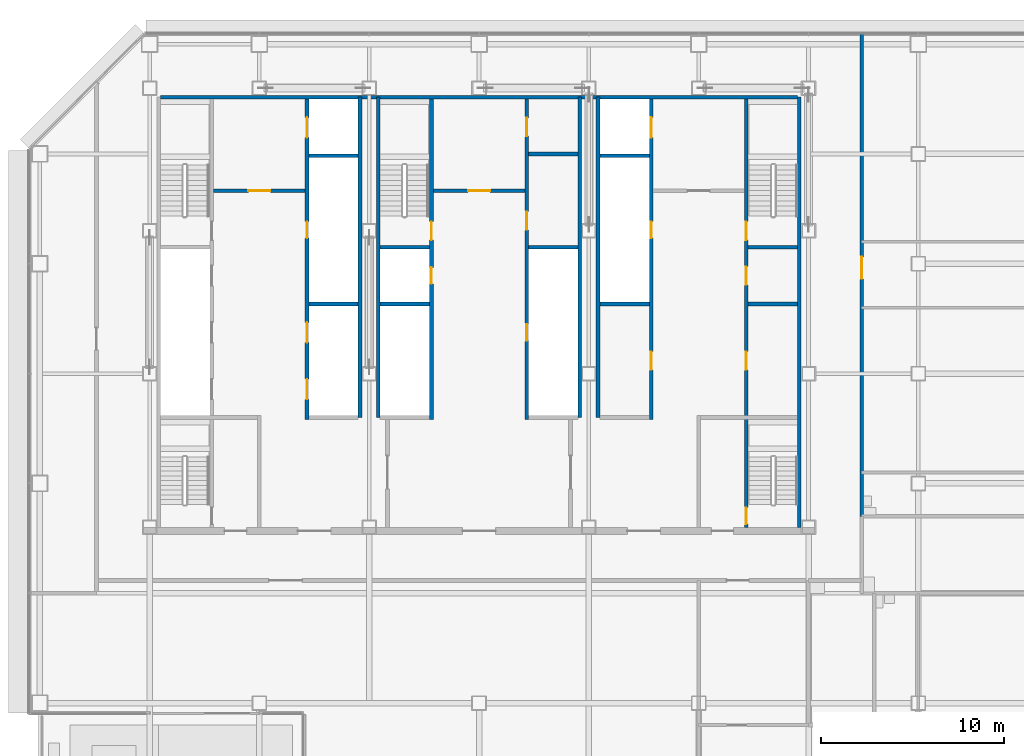
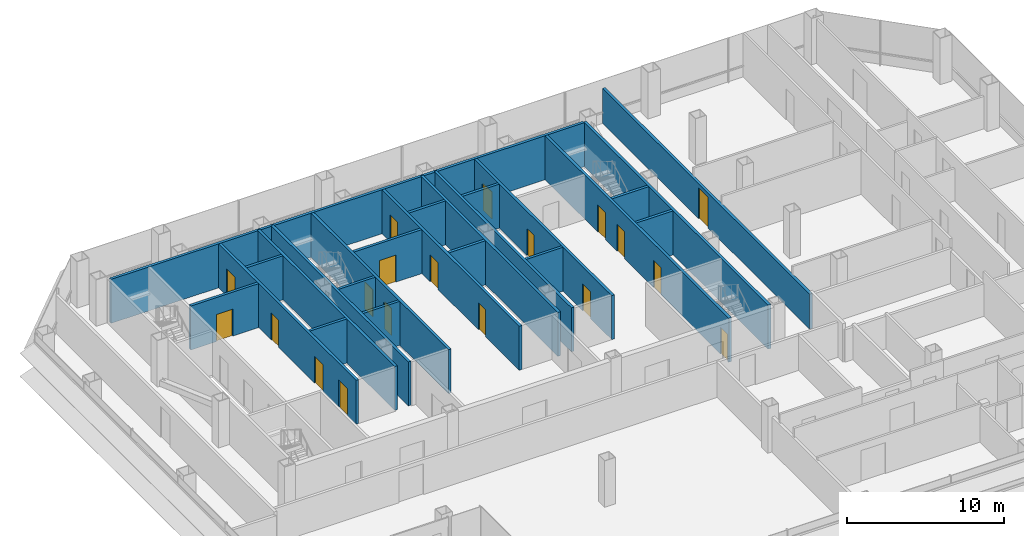
# One storey, part 22 of 28: 24 walls, 19 doors, 19 openings.
"""IFC4 building model written with IfcOpenShell, lengths in metres."""

from ifc_helpers import new_model, si_unit, direction, frame, frame_2d, origin, place, context, subcontext, project, spatial, rectangle, extrude, material, layer, layer_set, type_object, element, fill, save


model = new_model("IFC4")

# Units and contexts
model_context = context("Model", 3, precision=1e-05, world=origin(), true_north=direction((0.0, 1.0)))
body_context = subcontext(model_context, "Body", "Model", "MODEL_VIEW")
ifc_project = project(units=[si_unit("LENGTHUNIT", "METRE"), si_unit("AREAUNIT", "SQUARE_METRE"), si_unit("VOLUMEUNIT", "CUBIC_METRE"), si_unit("PLANEANGLEUNIT", "RADIAN"), si_unit("MASSUNIT", "GRAM", prefix="KILO")], contexts=[model_context])

# Site, building, storey
site_placement = place(None, origin())
site = spatial("IfcSite", under=ifc_project, at=site_placement, CompositionType="ELEMENT")
building_placement = place(site_placement, origin())
building = spatial("IfcBuilding", under=site, at=building_placement, Name="Sorahane Residences", CompositionType="ELEMENT")
storey_placement = place(building_placement, frame((0.0, 0.0, 60.60009765625)))
storey = spatial("IfcBuildingStorey", under=building, at=storey_placement, Name="L11", CompositionType="ELEMENT", Elevation=60.60009765625)

# Walls
ifc_material_1 = material(Name="Concrete C30", Category="concrete")
ifc_layer_1 = layer(ifc_material_1, 0.199951171875)
ifc_layer_set_1 = layer_set([ifc_layer_1], Name="Core face wall 200 EI 180")
wall_type_1 = type_object("IfcWallType", Name="Core face wall 200 EI 180", PredefinedType="SOLIDWALL", material=ifc_layer_set_1)
wall_1_placement = place(storey_placement, frame((41.5, 21.60009765625, 0.0), z_axis=(0.0, 0.0, 1.0), x_axis=(0.0, 1.0, 0.0)))
element("IfcWall", 1, at=wall_1_placement, inside=storey, type_object=wall_type_1, Name="L11 core face wall", PredefinedType="SOLIDWALL", context=body_context, shape_type="SweptSolid", body=[
    extrude(rectangle(XDim=23.5, YDim=0.199951171875, at=frame_2d((11.75, 0.0))), origin(), (0.0, 0.0, 1.0), 3.419921875),
])
wall_2_placement = place(storey_placement, frame((6.60009765625, 45.10009765625, 0.0), z_axis=(0.0, 0.0, 1.0), x_axis=(1.0, 0.0, 0.0)))
element("IfcWall", 2, at=wall_2_placement, inside=storey, type_object=wall_type_1, Name="L11 core face wall", PredefinedType="SOLIDWALL", context=body_context, shape_type="SweptSolid", body=[
    extrude(rectangle(XDim=34.7998046875, YDim=0.199951171875, at=frame_2d((17.39990234375, 0.0))), origin(), (0.0, 0.0, 1.0), 3.419921875),
])
for number, where, z_axis, x_axis, name in (
    (3, (17.5, 27.60009765625, 0.0), (0.0, 0.0, 1.0), (0.0, 1.0, 0.0), "L11 core face wall"),
    (4, (18.5, 27.60009765625, 0.0), (0.0, 0.0, 1.0), (0.0, 1.0, 0.0), "L11 core face wall"),
    (5, (29.5, 27.60009765625, 0.0), (0.0, 0.0, 1.0), (0.0, 1.0, 0.0), "L11 core face wall"),
    (6, (30.5, 27.60009765625, 0.0), (0.0, 0.0, 1.0), (0.0, 1.0, 0.0), "L11 core face wall"),
):
    element("IfcWall", number, at=place(storey_placement, frame(where, z_axis=z_axis, x_axis=x_axis)), inside=storey, type_object=wall_type_1, Name=name, PredefinedType="SOLIDWALL", context=body_context, shape_type="SweptSolid", body=[
        extrude(rectangle(XDim=17.5, YDim=0.199951171875, at=frame_2d((8.75, 0.0))), origin(), (0.0, 0.0, 1.0), 3.419921875),
    ])

# Wall, opening, door
ifc_material_2 = material(Name="Concrete blockwork C20 wall", Category="masonry")
ifc_layer_2 = layer(ifc_material_2, 0.199951171875)
ifc_layer_set_2 = layer_set([ifc_layer_2], Name="Corridor wall 200 EI 120")
wall_type_2 = type_object("IfcWallType", Name="Corridor wall 200 EI 120", PredefinedType="SOLIDWALL", material=ifc_layer_set_2)
wall_3_placement = place(storey_placement, frame((44.89990234375, 22.199951171875, 0.0), z_axis=(0.0, 0.0, 1.0), x_axis=(0.0, 1.0, 0.0)))
wall_3 = element("IfcWall", 7, at=wall_3_placement, inside=storey, type_object=wall_type_2, Name="L11 corridor wall", PredefinedType="SOLIDWALL", context=body_context, shape_type="SweptSolid", body=[
    extrude(rectangle(XDim=26.400146484375, YDim=0.199951171875, at=frame_2d((13.2001953125, 0.0))), origin(), (0.0, 0.0, 1.0), 2.719970703125),
])
opening_1_placement = place(wall_3_placement, frame((12.97998046875, 0.0, 0.0)))
opening_1 = element("IfcOpeningElement", 8, at=opening_1_placement, cuts=wall_3, Name="Opening L11-26", PredefinedType="OPENING", context=body_context, shape_type="SweptSolid", body=[
    extrude(rectangle(XDim=1.199951171875, YDim=2.39990234375, at=frame_2d((0.60009765625, 1.199951171875))), frame((0.0, 0.10986328125, 0.0), z_axis=(0.0, -1.0, 0.0), x_axis=(1.0, 0.0, 0.0)), (0.0, 0.0, 1.0), 0.219970703125),
])
ifc_material_3 = material(Name="Timber veneered fire door", Category="wood")
door_type_1 = type_object("IfcDoorType", Name="Flat entrance door 1200x2400 FD60", OperationType="NOTDEFINED", PredefinedType="DOOR", material=ifc_material_3)
door_1_placement = place(opening_1_placement, frame((1.199951171875, 0.0, 0.0), z_axis=(0.0, 0.0, 1.0), x_axis=(-1.0, 0.0, 0.0)))
door_1 = element("IfcDoor", 9, at=door_1_placement, inside=storey, type_object=door_type_1, Name="Flat entrance door L11-26", OperationType="SINGLE_SWING_RIGHT", OverallHeight=2.39990234375, OverallWidth=1.199951171875, PredefinedType="DOOR", context=body_context, shape_type="SweptSolid", body=[
    extrude(rectangle(XDim=1.199951171875, YDim=2.39990234375, at=frame_2d((0.60009765625, 1.199951171875))), frame((0.0, 0.02490234375, 0.0), z_axis=(0.0, -1.0, 0.0), x_axis=(1.0, 0.0, 0.0)), (0.0, 0.0, 1.0), 0.050048828125),
])
fill(opening_1, door_1)

ifc_material_4 = material(Name="Concrete C30", Category="concrete")
ifc_layer_3 = layer(ifc_material_4, 0.199951171875)
ifc_layer_set_3 = layer_set([ifc_layer_3], Name="Front room wall 200 EI 120")
wall_type_3 = type_object("IfcWallType", Name="Front room wall 200 EI 120", PredefinedType="PARTITIONING", material=ifc_layer_set_3)
wall_4_placement = place(storey_placement, frame((21.5, 40.0, 0.0), z_axis=(0.0, 0.0, 1.0), x_axis=(1.0, 0.0, 0.0)))
wall_4 = element("IfcWall", 10, at=wall_4_placement, inside=storey, type_object=wall_type_3, Name="L11 front room wall", PredefinedType="PARTITIONING", context=body_context, shape_type="SweptSolid", body=[
    extrude(rectangle(XDim=5.0, YDim=0.199951171875, at=frame_2d((2.5, 0.0))), origin(), (0.0, 0.0, 1.0), 3.419921875),
])
opening_2_placement = place(wall_4_placement, frame((1.89990234375, 0.0, 0.0)))
opening_2 = element("IfcOpeningElement", 11, at=opening_2_placement, cuts=wall_4, Name="Opening L11-C09", PredefinedType="OPENING", context=body_context, shape_type="SweptSolid", body=[
    extrude(rectangle(XDim=1.199951171875, YDim=2.10009765625, at=frame_2d((0.60009765625, 1.050048828125))), frame((0.0, 0.10986328125, 0.0), z_axis=(0.0, -1.0, 0.0), x_axis=(1.0, 0.0, 0.0)), (0.0, 0.0, 1.0), 0.219970703125),
])
ifc_material_5 = material(Name="Steel", Category="steel")
door_type_2 = type_object("IfcDoorType", Name="Front room door 1200x2100 FD120", OperationType="NOTDEFINED", PredefinedType="DOOR", material=ifc_material_5)
door_2_placement = place(opening_2_placement, frame((1.199951171875, 0.0, 0.0), z_axis=(0.0, 0.0, 1.0), x_axis=(-1.0, 0.0, 0.0)))
door_2 = element("IfcDoor", 12, at=door_2_placement, inside=storey, type_object=door_type_2, Name="Front room door Stair S3 vestibule L11", OperationType="DOUBLE_DOOR_SINGLE_SWING", OverallHeight=2.10009765625, OverallWidth=1.199951171875, PredefinedType="DOOR", context=body_context, shape_type="SweptSolid", body=[
    extrude(rectangle(XDim=1.199951171875, YDim=2.10009765625, at=frame_2d((0.60009765625, 1.050048828125))), frame((0.0, 0.02490234375, 0.0), z_axis=(0.0, -1.0, 0.0), x_axis=(1.0, 0.0, 0.0)), (0.0, 0.0, 1.0), 0.050048828125),
])
fill(opening_2, door_2)

wall_5_placement = place(storey_placement, frame((9.5, 40.0, 0.0), z_axis=(0.0, 0.0, 1.0), x_axis=(1.0, 0.0, 0.0)))
wall_5 = element("IfcWall", 13, at=wall_5_placement, inside=storey, type_object=wall_type_3, Name="L11 front room wall", PredefinedType="PARTITIONING", context=body_context, shape_type="SweptSolid", body=[
    extrude(rectangle(XDim=5.0, YDim=0.199951171875, at=frame_2d((2.5, 0.0))), origin(), (0.0, 0.0, 1.0), 3.419921875),
])
opening_3_placement = place(wall_5_placement, frame((1.89990234375, 0.0, 0.0)))
opening_3 = element("IfcOpeningElement", 14, at=opening_3_placement, cuts=wall_5, Name="Opening L11-C08", PredefinedType="OPENING", context=body_context, shape_type="SweptSolid", body=[
    extrude(rectangle(XDim=1.199951171875, YDim=2.10009765625, at=frame_2d((0.60009765625, 1.050048828125))), frame((0.0, 0.10986328125, 0.0), z_axis=(0.0, -1.0, 0.0), x_axis=(1.0, 0.0, 0.0)), (0.0, 0.0, 1.0), 0.219970703125),
])
door_3_placement = place(opening_3_placement, frame((1.199951171875, 0.0, 0.0), z_axis=(0.0, 0.0, 1.0), x_axis=(-1.0, 0.0, 0.0)))
door_3 = element("IfcDoor", 15, at=door_3_placement, inside=storey, type_object=door_type_2, Name="Front room door Firefighting lobby FF1 front room L11", OperationType="DOUBLE_DOOR_SINGLE_SWING", OverallHeight=2.10009765625, OverallWidth=1.199951171875, PredefinedType="DOOR", context=body_context, shape_type="SweptSolid", body=[
    extrude(rectangle(XDim=1.199951171875, YDim=2.10009765625, at=frame_2d((0.60009765625, 1.050048828125))), frame((0.0, 0.02490234375, 0.0), z_axis=(0.0, -1.0, 0.0), x_axis=(1.0, 0.0, 0.0)), (0.0, 0.0, 1.0), 0.050048828125),
])
fill(opening_3, door_3)

# Wall, openings, doors
ifc_material_6 = material(Name="Concrete C30", Category="concrete")
ifc_layer_4 = layer(ifc_material_6, 0.199951171875)
ifc_layer_set_4 = layer_set([ifc_layer_4], Name="Lift shaft wall 200 EI 120")
wall_type_4 = type_object("IfcWallType", Name="Lift shaft wall 200 EI 120", PredefinedType="SOLIDWALL", material=ifc_layer_set_4)
wall_6_placement = place(storey_placement, frame((14.60009765625, 27.5, 0.0), z_axis=(0.0, 0.0, 1.0), x_axis=(0.0, 1.0, 0.0)))
wall_6 = element("IfcWall", 16, at=wall_6_placement, inside=storey, type_object=wall_type_4, Name="L11 lift shaft wall", PredefinedType="SOLIDWALL", context=body_context, shape_type="SweptSolid", body=[
    extrude(rectangle(XDim=17.5, YDim=0.199951171875, at=frame_2d((8.75, 0.0))), origin(), (0.0, 0.0, 1.0), 3.419921875),
])
opening_4_placement = place(wall_6_placement, frame((1.10009765625, 0.0, 0.0)))
opening_4 = element("IfcOpeningElement", 17, at=opening_4_placement, cuts=wall_6, Name="Opening L11-C12", PredefinedType="OPENING", context=body_context, shape_type="SweptSolid", body=[
    extrude(rectangle(XDim=1.10009765625, YDim=2.10009765625, at=frame_2d((0.550048828125, 1.050048828125))), frame((0.0, 0.10986328125, 0.0), z_axis=(0.0, -1.0, 0.0), x_axis=(1.0, 0.0, 0.0)), (0.0, 0.0, 1.0), 0.219970703125),
])
opening_5_placement = place(wall_6_placement, frame((4.199951171875, 0.0, 0.0)))
opening_5 = element("IfcOpeningElement", 18, at=opening_5_placement, cuts=wall_6, Name="Opening L11-C13", PredefinedType="OPENING", context=body_context, shape_type="SweptSolid", body=[
    extrude(rectangle(XDim=1.10009765625, YDim=2.10009765625, at=frame_2d((0.550048828125, 1.050048828125))), frame((0.0, 0.10986328125, 0.0), z_axis=(0.0, -1.0, 0.0), x_axis=(1.0, 0.0, 0.0)), (0.0, 0.0, 1.0), 0.219970703125),
])
opening_6_placement = place(wall_6_placement, frame((15.39990234375, 0.0, 0.0)))
opening_6 = element("IfcOpeningElement", 19, at=opening_6_placement, cuts=wall_6, Name="Opening L11-C14", PredefinedType="OPENING", context=body_context, shape_type="SweptSolid", body=[
    extrude(rectangle(XDim=1.10009765625, YDim=2.10009765625, at=frame_2d((0.550048828125, 1.050048828125))), frame((0.0, 0.10986328125, 0.0), z_axis=(0.0, -1.0, 0.0), x_axis=(1.0, 0.0, 0.0)), (0.0, 0.0, 1.0), 0.219970703125),
])
opening_7_placement = place(wall_6_placement, frame((9.89990234375, 0.0, 0.0)))
opening_7 = element("IfcOpeningElement", 20, at=opening_7_placement, cuts=wall_6, Name="Opening L11-C26", PredefinedType="OPENING", context=body_context, shape_type="SweptSolid", body=[
    extrude(rectangle(XDim=0.89990234375, YDim=2.10009765625, at=frame_2d((0.449951171875, 1.050048828125))), frame((0.0, 0.10986328125, 0.0), z_axis=(0.0, -1.0, 0.0), x_axis=(1.0, 0.0, 0.0)), (0.0, 0.0, 1.0), 0.219970703125),
])
ifc_material_7 = material(Name="Aluminium and stainless steel", Category="steel")
door_type_3 = type_object("IfcDoorType", Name="Lift landing door 1100x2100 E 60", OperationType="NOTDEFINED", PredefinedType="DOOR", material=ifc_material_7)
door_4_placement = place(opening_4_placement, origin())
door_4 = element("IfcDoor", 21, at=door_4_placement, inside=storey, type_object=door_type_3, Name="Lift landing door LR4 L11", OperationType="DOUBLE_DOOR_SLIDING", OverallHeight=2.10009765625, OverallWidth=1.10009765625, PredefinedType="DOOR", context=body_context, shape_type="SweptSolid", body=[
    extrude(rectangle(XDim=1.10009765625, YDim=2.10009765625, at=frame_2d((0.550048828125, 1.050048828125))), frame((0.0, 0.02490234375, 0.0), z_axis=(0.0, -1.0, 0.0), x_axis=(1.0, 0.0, 0.0)), (0.0, 0.0, 1.0), 0.050048828125),
])
fill(opening_4, door_4)
door_5_placement = place(opening_5_placement, origin())
door_5 = element("IfcDoor", 22, at=door_5_placement, inside=storey, type_object=door_type_3, Name="Lift landing door LR5 L11", OperationType="DOUBLE_DOOR_SLIDING", OverallHeight=2.10009765625, OverallWidth=1.10009765625, PredefinedType="DOOR", context=body_context, shape_type="SweptSolid", body=[
    extrude(rectangle(XDim=1.10009765625, YDim=2.10009765625, at=frame_2d((0.550048828125, 1.050048828125))), frame((0.0, 0.02490234375, 0.0), z_axis=(0.0, -1.0, 0.0), x_axis=(1.0, 0.0, 0.0)), (0.0, 0.0, 1.0), 0.050048828125),
])
fill(opening_5, door_5)
door_6_placement = place(opening_6_placement, origin())
door_6 = element("IfcDoor", 23, at=door_6_placement, inside=storey, type_object=door_type_3, Name="Lift landing door FF1 L11", OperationType="DOUBLE_DOOR_SLIDING", OverallHeight=2.10009765625, OverallWidth=1.10009765625, PredefinedType="DOOR", context=body_context, shape_type="SweptSolid", body=[
    extrude(rectangle(XDim=1.10009765625, YDim=2.10009765625, at=frame_2d((0.550048828125, 1.050048828125))), frame((0.0, 0.02490234375, 0.0), z_axis=(0.0, -1.0, 0.0), x_axis=(1.0, 0.0, 0.0)), (0.0, 0.0, 1.0), 0.050048828125),
])
fill(opening_6, door_6)
ifc_material_8 = material(Name="Steel", Category="steel")
door_type_4 = type_object("IfcDoorType", Name="Riser door 900x2100 FD120", OperationType="NOTDEFINED", PredefinedType="DOOR", material=ifc_material_8)
door_7_placement = place(opening_7_placement, origin())
door_7 = element("IfcDoor", 24, at=door_7_placement, inside=storey, type_object=door_type_4, Name="Riser door R1 L11", OperationType="SINGLE_SWING_LEFT", OverallHeight=2.10009765625, OverallWidth=0.89990234375, PredefinedType="DOOR", context=body_context, shape_type="SweptSolid", body=[
    extrude(rectangle(XDim=0.89990234375, YDim=2.10009765625, at=frame_2d((0.449951171875, 1.050048828125))), frame((0.0, 0.02490234375, 0.0), z_axis=(0.0, -1.0, 0.0), x_axis=(1.0, 0.0, 0.0)), (0.0, 0.0, 1.0), 0.050048828125),
])
fill(opening_7, door_7)

wall_7_placement = place(storey_placement, frame((33.39990234375, 27.5, 0.0), z_axis=(0.0, 0.0, 1.0), x_axis=(0.0, 1.0, 0.0)))
wall_7 = element("IfcWall", 25, at=wall_7_placement, inside=storey, type_object=wall_type_4, Name="L11 lift shaft wall", PredefinedType="SOLIDWALL", context=body_context, shape_type="SweptSolid", body=[
    extrude(rectangle(XDim=17.5, YDim=0.199951171875, at=frame_2d((8.75, 0.0))), origin(), (0.0, 0.0, 1.0), 3.419921875),
])
opening_8_placement = place(wall_7_placement, frame((15.39990234375, 0.0, 0.0)))
opening_8 = element("IfcOpeningElement", 26, at=opening_8_placement, cuts=wall_7, Name="Opening L11-C11", PredefinedType="OPENING", context=body_context, shape_type="SweptSolid", body=[
    extrude(rectangle(XDim=1.10009765625, YDim=2.10009765625, at=frame_2d((0.550048828125, 1.050048828125))), frame((0.0, 0.10986328125, 0.0), z_axis=(0.0, -1.0, 0.0), x_axis=(1.0, 0.0, 0.0)), (0.0, 0.0, 1.0), 0.219970703125),
])
opening_9_placement = place(wall_7_placement, frame((2.699951171875, 0.0, 0.0)))
opening_9 = element("IfcOpeningElement", 27, at=opening_9_placement, cuts=wall_7, Name="Opening L11-C20", PredefinedType="OPENING", context=body_context, shape_type="SweptSolid", body=[
    extrude(rectangle(XDim=1.0, YDim=2.10009765625, at=frame_2d((0.5, 1.050048828125))), frame((0.0, 0.10986328125, 0.0), z_axis=(0.0, -1.0, 0.0), x_axis=(1.0, 0.0, 0.0)), (0.0, 0.0, 1.0), 0.219970703125),
])
opening_10_placement = place(wall_7_placement, frame((9.89990234375, 0.0, 0.0)))
opening_10 = element("IfcOpeningElement", 28, at=opening_10_placement, cuts=wall_7, Name="Opening L11-C27", PredefinedType="OPENING", context=body_context, shape_type="SweptSolid", body=[
    extrude(rectangle(XDim=0.89990234375, YDim=2.10009765625, at=frame_2d((0.449951171875, 1.050048828125))), frame((0.0, 0.10986328125, 0.0), z_axis=(0.0, -1.0, 0.0), x_axis=(1.0, 0.0, 0.0)), (0.0, 0.0, 1.0), 0.219970703125),
])
door_8_placement = place(opening_8_placement, origin())
door_8 = element("IfcDoor", 29, at=door_8_placement, inside=storey, type_object=door_type_3, Name="Lift landing door FF2 L11", OperationType="DOUBLE_DOOR_SLIDING", OverallHeight=2.10009765625, OverallWidth=1.10009765625, PredefinedType="DOOR", context=body_context, shape_type="SweptSolid", body=[
    extrude(rectangle(XDim=1.10009765625, YDim=2.10009765625, at=frame_2d((0.550048828125, 1.050048828125))), frame((0.0, 0.02490234375, 0.0), z_axis=(0.0, -1.0, 0.0), x_axis=(1.0, 0.0, 0.0)), (0.0, 0.0, 1.0), 0.050048828125),
])
fill(opening_8, door_8)
door_9_placement = place(opening_10_placement, frame((0.89990234375, 0.0, 0.0), z_axis=(0.0, 0.0, 1.0), x_axis=(-1.0, 0.0, 0.0)))
door_9 = element("IfcDoor", 30, at=door_9_placement, inside=storey, type_object=door_type_4, Name="Riser door R2 L11", OperationType="SINGLE_SWING_LEFT", OverallHeight=2.10009765625, OverallWidth=0.89990234375, PredefinedType="DOOR", context=body_context, shape_type="SweptSolid", body=[
    extrude(rectangle(XDim=0.89990234375, YDim=2.10009765625, at=frame_2d((0.449951171875, 1.050048828125))), frame((0.0, 0.02490234375, 0.0), z_axis=(0.0, -1.0, 0.0), x_axis=(1.0, 0.0, 0.0)), (0.0, 0.0, 1.0), 0.050048828125),
])
fill(opening_10, door_9)
ifc_material_9 = material(Name="Steel", Category="steel")
door_type_5 = type_object("IfcDoorType", Name="Service room door 1000x2100 FD60", OperationType="NOTDEFINED", PredefinedType="DOOR", material=ifc_material_9)
door_10_placement = place(opening_9_placement, origin())
door_10 = element("IfcDoor", 31, at=door_10_placement, inside=storey, type_object=door_type_5, Name="Service room door Linen store L11", OperationType="SINGLE_SWING_RIGHT", OverallHeight=2.10009765625, OverallWidth=1.0, PredefinedType="DOOR", context=body_context, shape_type="SweptSolid", body=[
    extrude(rectangle(XDim=1.0, YDim=2.10009765625, at=frame_2d((0.5, 1.050048828125))), frame((0.0, 0.02490234375, 0.0), z_axis=(0.0, -1.0, 0.0), x_axis=(1.0, 0.0, 0.0)), (0.0, 0.0, 1.0), 0.050048828125),
])
fill(opening_9, door_10)

# Walls
for number, where, z_axis, x_axis, name in (
    (32, (14.699951171875, 33.800048828125, 0.0), (0.0, 0.0, 1.0), (1.0, 0.0, 0.0), "L11 lift shaft wall"),
    (33, (18.60009765625, 33.800048828125, 0.0), (0.0, 0.0, 1.0), (1.0, 0.0, 0.0), "L11 lift shaft wall"),
    (34, (14.699951171875, 41.89990234375, 0.0), (0.0, 0.0, 1.0), (1.0, 0.0, 0.0), "L11 lift shaft wall"),
    (35, (30.60009765625, 41.89990234375, 0.0), (0.0, 0.0, 1.0), (1.0, 0.0, 0.0), "L11 lift shaft wall"),
):
    element("IfcWall", number, at=place(storey_placement, frame(where, z_axis=z_axis, x_axis=x_axis)), inside=storey, type_object=wall_type_4, Name=name, PredefinedType="SOLIDWALL", context=body_context, shape_type="SweptSolid", body=[
        extrude(rectangle(XDim=2.699951171875, YDim=0.199951171875, at=frame_2d((1.35009765625, 0.0))), origin(), (0.0, 0.0, 1.0), 3.419921875),
    ])

# Wall, openings, doors
ifc_material_10 = material(Name="Concrete C30", Category="concrete")
ifc_layer_5 = layer(ifc_material_10, 0.199951171875)
ifc_layer_set_5 = layer_set([ifc_layer_5], Name="Riser shaft wall 200 EI 120")
wall_type_5 = type_object("IfcWallType", Name="Riser shaft wall 200 EI 120", PredefinedType="SOLIDWALL", material=ifc_layer_set_5)
wall_8_placement = place(storey_placement, frame((26.60009765625, 27.5, 0.0), z_axis=(0.0, 0.0, 1.0), x_axis=(0.0, 1.0, 0.0)))
wall_8 = element("IfcWall", 36, at=wall_8_placement, inside=storey, type_object=wall_type_5, Name="L11 riser wall", PredefinedType="SOLIDWALL", context=body_context, shape_type="SweptSolid", body=[
    extrude(rectangle(XDim=17.5, YDim=0.199951171875, at=frame_2d((8.75, 0.0))), origin(), (0.0, 0.0, 1.0), 3.419921875),
])
opening_11_placement = place(wall_8_placement, frame((4.300048828125, 0.0, 0.0)))
opening_11 = element("IfcOpeningElement", 37, at=opening_11_placement, cuts=wall_8, Name="Opening L11-C29", PredefinedType="OPENING", context=body_context, shape_type="SweptSolid", body=[
    extrude(rectangle(XDim=0.89990234375, YDim=2.10009765625, at=frame_2d((0.449951171875, 1.050048828125))), frame((0.0, 0.10986328125, 0.0), z_axis=(0.0, -1.0, 0.0), x_axis=(1.0, 0.0, 0.0)), (0.0, 0.0, 1.0), 0.219970703125),
])
opening_12_placement = place(wall_8_placement, frame((10.35009765625, 0.0, 0.0)))
opening_12 = element("IfcOpeningElement", 38, at=opening_12_placement, cuts=wall_8, Name="Opening L11-C30", PredefinedType="OPENING", context=body_context, shape_type="SweptSolid", body=[
    extrude(rectangle(XDim=1.0, YDim=2.10009765625, at=frame_2d((0.5, 1.050048828125))), frame((0.0, 0.10986328125, 0.0), z_axis=(0.0, -1.0, 0.0), x_axis=(1.0, 0.0, 0.0)), (0.0, 0.0, 1.0), 0.219970703125),
])
opening_13_placement = place(wall_8_placement, frame((15.47509765625, 0.0, 0.0)))
opening_13 = element("IfcOpeningElement", 39, at=opening_13_placement, cuts=wall_8, Name="Opening L11-C31", PredefinedType="OPENING", context=body_context, shape_type="SweptSolid", body=[
    extrude(rectangle(XDim=1.0, YDim=2.10009765625, at=frame_2d((0.5, 1.050048828125))), frame((0.0, 0.10986328125, 0.0), z_axis=(0.0, -1.0, 0.0), x_axis=(1.0, 0.0, 0.0)), (0.0, 0.0, 1.0), 0.219970703125),
])
door_11_placement = place(opening_11_placement, origin())
door_11 = element("IfcDoor", 40, at=door_11_placement, inside=storey, type_object=door_type_4, Name="Riser door R4 L11", OperationType="SINGLE_SWING_LEFT", OverallHeight=2.10009765625, OverallWidth=0.89990234375, PredefinedType="DOOR", context=body_context, shape_type="SweptSolid", body=[
    extrude(rectangle(XDim=0.89990234375, YDim=2.10009765625, at=frame_2d((0.449951171875, 1.050048828125))), frame((0.0, 0.02490234375, 0.0), z_axis=(0.0, -1.0, 0.0), x_axis=(1.0, 0.0, 0.0)), (0.0, 0.0, 1.0), 0.050048828125),
])
fill(opening_11, door_11)
door_12_placement = place(opening_12_placement, frame((1.0, 0.0, 0.0), z_axis=(0.0, 0.0, 1.0), x_axis=(-1.0, 0.0, 0.0)))
door_12 = element("IfcDoor", 41, at=door_12_placement, inside=storey, type_object=door_type_5, Name="Service room door Parcel room L11", OperationType="SINGLE_SWING_LEFT", OverallHeight=2.10009765625, OverallWidth=1.0, PredefinedType="DOOR", context=body_context, shape_type="SweptSolid", body=[
    extrude(rectangle(XDim=1.0, YDim=2.10009765625, at=frame_2d((0.5, 1.050048828125))), frame((0.0, 0.02490234375, 0.0), z_axis=(0.0, -1.0, 0.0), x_axis=(1.0, 0.0, 0.0)), (0.0, 0.0, 1.0), 0.050048828125),
])
fill(opening_12, door_12)
door_13_placement = place(opening_13_placement, frame((1.0, 0.0, 0.0), z_axis=(0.0, 0.0, 1.0), x_axis=(-1.0, 0.0, 0.0)))
door_13 = element("IfcDoor", 42, at=door_13_placement, inside=storey, type_object=door_type_5, Name="Service room door Refuse room L11", OperationType="SINGLE_SWING_RIGHT", OverallHeight=2.10009765625, OverallWidth=1.0, PredefinedType="DOOR", context=body_context, shape_type="SweptSolid", body=[
    extrude(rectangle(XDim=1.0, YDim=2.10009765625, at=frame_2d((0.5, 1.050048828125))), frame((0.0, 0.02490234375, 0.0), z_axis=(0.0, -1.0, 0.0), x_axis=(1.0, 0.0, 0.0)), (0.0, 0.0, 1.0), 0.050048828125),
])
fill(opening_13, door_13)

# Walls
for number, where, z_axis, x_axis, name in (
    (43, (30.60009765625, 33.800048828125, 0.0), (0.0, 0.0, 1.0), (1.0, 0.0, 0.0), "L11 riser wall"),
    (44, (26.699951171875, 36.89990234375, 0.0), (0.0, 0.0, 1.0), (1.0, 0.0, 0.0), "L11 riser wall"),
):
    element("IfcWall", number, at=place(storey_placement, frame(where, z_axis=z_axis, x_axis=x_axis)), inside=storey, type_object=wall_type_5, Name=name, PredefinedType="SOLIDWALL", context=body_context, shape_type="SweptSolid", body=[
        extrude(rectangle(XDim=2.699951171875, YDim=0.199951171875, at=frame_2d((1.35009765625, 0.0))), origin(), (0.0, 0.0, 1.0), 3.419921875),
    ])
ifc_material_11 = material(Name="Concrete C30", Category="concrete")
ifc_layer_6 = layer(ifc_material_11, 0.199951171875)
ifc_layer_set_6 = layer_set([ifc_layer_6], Name="Service room partition 200 EI 60")
wall_type_6 = type_object("IfcWallType", Name="Service room partition 200 EI 60", PredefinedType="PARTITIONING", material=ifc_layer_set_6)
for number, where, z_axis, x_axis, name in (
    (45, (38.699951171875, 33.800048828125, 0.0), (0.0, 0.0, 1.0), (1.0, 0.0, 0.0), "L11 service room wall"),
    (46, (26.699951171875, 42.0, 0.0), (0.0, 0.0, 1.0), (1.0, 0.0, 0.0), "L11 service room wall"),
):
    element("IfcWall", number, at=place(storey_placement, frame(where, z_axis=z_axis, x_axis=x_axis)), inside=storey, type_object=wall_type_6, Name=name, PredefinedType="PARTITIONING", context=body_context, shape_type="SweptSolid", body=[
        extrude(rectangle(XDim=2.699951171875, YDim=0.199951171875, at=frame_2d((1.35009765625, 0.0))), origin(), (0.0, 0.0, 1.0), 3.419921875),
    ])

# Wall, openings, doors
ifc_material_12 = material(Name="Concrete C30", Category="concrete")
ifc_layer_7 = layer(ifc_material_12, 0.199951171875)
ifc_layer_set_7 = layer_set([ifc_layer_7], Name="Stair enclosure wall 200 EI 120")
wall_type_7 = type_object("IfcWallType", Name="Stair enclosure wall 200 EI 120", PredefinedType="SOLIDWALL", material=ifc_layer_set_7)
wall_9_placement = place(storey_placement, frame((21.39990234375, 27.5, 0.0), z_axis=(0.0, 0.0, 1.0), x_axis=(0.0, 1.0, 0.0)))
wall_9 = element("IfcWall", 47, at=wall_9_placement, inside=storey, type_object=wall_type_7, Name="L11 stair enclosure wall", PredefinedType="SOLIDWALL", context=body_context, shape_type="SweptSolid", body=[
    extrude(rectangle(XDim=17.5, YDim=0.199951171875, at=frame_2d((8.75, 0.0))), origin(), (0.0, 0.0, 1.0), 3.419921875),
])
opening_14_placement = place(wall_9_placement, frame((9.800048828125, 0.0, 0.0)))
opening_14 = element("IfcOpeningElement", 48, at=opening_14_placement, cuts=wall_9, Name="Opening L11-C23", PredefinedType="OPENING", context=body_context, shape_type="SweptSolid", body=[
    extrude(rectangle(XDim=1.0, YDim=2.10009765625, at=frame_2d((0.5, 1.050048828125))), frame((0.0, 0.10986328125, 0.0), z_axis=(0.0, -1.0, 0.0), x_axis=(1.0, 0.0, 0.0)), (0.0, 0.0, 1.0), 0.219970703125),
])
opening_15_placement = place(wall_9_placement, frame((7.39990234375, 0.0, 0.0)))
opening_15 = element("IfcOpeningElement", 49, at=opening_15_placement, cuts=wall_9, Name="Opening L11-C28", PredefinedType="OPENING", context=body_context, shape_type="SweptSolid", body=[
    extrude(rectangle(XDim=0.89990234375, YDim=2.10009765625, at=frame_2d((0.449951171875, 1.050048828125))), frame((0.0, 0.10986328125, 0.0), z_axis=(0.0, -1.0, 0.0), x_axis=(1.0, 0.0, 0.0)), (0.0, 0.0, 1.0), 0.219970703125),
])
door_14_placement = place(opening_15_placement, frame((0.89990234375, 0.0, 0.0), z_axis=(0.0, 0.0, 1.0), x_axis=(-1.0, 0.0, 0.0)))
door_14 = element("IfcDoor", 50, at=door_14_placement, inside=storey, type_object=door_type_4, Name="Riser door R3 L11", OperationType="SINGLE_SWING_LEFT", OverallHeight=2.10009765625, OverallWidth=0.89990234375, PredefinedType="DOOR", context=body_context, shape_type="SweptSolid", body=[
    extrude(rectangle(XDim=0.89990234375, YDim=2.10009765625, at=frame_2d((0.449951171875, 1.050048828125))), frame((0.0, 0.02490234375, 0.0), z_axis=(0.0, -1.0, 0.0), x_axis=(1.0, 0.0, 0.0)), (0.0, 0.0, 1.0), 0.050048828125),
])
fill(opening_15, door_14)
ifc_material_13 = material(Name="Steel", Category="steel")
door_type_6 = type_object("IfcDoorType", Name="Stair door 1000x2100 FD120", OperationType="NOTDEFINED", PredefinedType="DOOR", material=ifc_material_13)
door_15_placement = place(opening_14_placement, origin())
door_15 = element("IfcDoor", 51, at=door_15_placement, inside=storey, type_object=door_type_6, Name="Stair door S3 L11", OperationType="SINGLE_SWING_LEFT", OverallHeight=2.10009765625, OverallWidth=1.0, PredefinedType="DOOR", context=body_context, shape_type="SweptSolid", body=[
    extrude(rectangle(XDim=1.0, YDim=2.10009765625, at=frame_2d((0.5, 1.050048828125))), frame((0.0, 0.02490234375, 0.0), z_axis=(0.0, -1.0, 0.0), x_axis=(1.0, 0.0, 0.0)), (0.0, 0.0, 1.0), 0.050048828125),
])
fill(opening_14, door_15)

wall_10_placement = place(storey_placement, frame((38.60009765625, 21.60009765625, 0.0), z_axis=(0.0, 0.0, 1.0), x_axis=(0.0, 1.0, 0.0)))
wall_10 = element("IfcWall", 52, at=wall_10_placement, inside=storey, type_object=wall_type_7, Name="L11 stair enclosure wall", PredefinedType="SOLIDWALL", context=body_context, shape_type="SweptSolid", body=[
    extrude(rectangle(XDim=23.39990234375, YDim=0.199951171875, at=frame_2d((11.699951171875, 0.0))), origin(), (0.0, 0.0, 1.0), 3.419921875),
])
opening_16_placement = place(wall_10_placement, frame((8.60009765625, 0.0, 0.0)))
opening_16 = element("IfcOpeningElement", 53, at=opening_16_placement, cuts=wall_10, Name="Opening L11-C18", PredefinedType="OPENING", context=body_context, shape_type="SweptSolid", body=[
    extrude(rectangle(XDim=1.0, YDim=2.10009765625, at=frame_2d((0.5, 1.050048828125))), frame((0.0, 0.10986328125, 0.0), z_axis=(0.0, -1.0, 0.0), x_axis=(1.0, 0.0, 0.0)), (0.0, 0.0, 1.0), 0.219970703125),
])
opening_17_placement = place(wall_10_placement, frame((13.25, 0.0, 0.0)))
opening_17 = element("IfcOpeningElement", 54, at=opening_17_placement, cuts=wall_10, Name="Opening L11-C19", PredefinedType="OPENING", context=body_context, shape_type="SweptSolid", body=[
    extrude(rectangle(XDim=1.0, YDim=2.10009765625, at=frame_2d((0.5, 1.050048828125))), frame((0.0, 0.10986328125, 0.0), z_axis=(0.0, -1.0, 0.0), x_axis=(1.0, 0.0, 0.0)), (0.0, 0.0, 1.0), 0.219970703125),
])
opening_18_placement = place(wall_10_placement, frame((15.699951171875, 0.0, 0.0)))
opening_18 = element("IfcOpeningElement", 55, at=opening_18_placement, cuts=wall_10, Name="Opening L11-C22", PredefinedType="OPENING", context=body_context, shape_type="SweptSolid", body=[
    extrude(rectangle(XDim=1.0, YDim=2.10009765625, at=frame_2d((0.5, 1.050048828125))), frame((0.0, 0.10986328125, 0.0), z_axis=(0.0, -1.0, 0.0), x_axis=(1.0, 0.0, 0.0)), (0.0, 0.0, 1.0), 0.219970703125),
])
opening_19_placement = place(wall_10_placement, frame((0.175048828125, 0.0, 0.0)))
opening_19 = element("IfcOpeningElement", 56, at=opening_19_placement, cuts=wall_10, Name="Opening L11-C25", PredefinedType="OPENING", context=body_context, shape_type="SweptSolid", body=[
    extrude(rectangle(XDim=0.89990234375, YDim=2.10009765625, at=frame_2d((0.449951171875, 1.050048828125))), frame((0.0, 0.10986328125, 0.0), z_axis=(0.0, -1.0, 0.0), x_axis=(1.0, 0.0, 0.0)), (0.0, 0.0, 1.0), 0.219970703125),
])
door_16_placement = place(opening_16_placement, frame((1.0, 0.0, 0.0), z_axis=(0.0, 0.0, 1.0), x_axis=(-1.0, 0.0, 0.0)))
door_16 = element("IfcDoor", 57, at=door_16_placement, inside=storey, type_object=door_type_5, Name="Service room door Linen store L11", OperationType="SINGLE_SWING_RIGHT", OverallHeight=2.10009765625, OverallWidth=1.0, PredefinedType="DOOR", context=body_context, shape_type="SweptSolid", body=[
    extrude(rectangle(XDim=1.0, YDim=2.10009765625, at=frame_2d((0.5, 1.050048828125))), frame((0.0, 0.02490234375, 0.0), z_axis=(0.0, -1.0, 0.0), x_axis=(1.0, 0.0, 0.0)), (0.0, 0.0, 1.0), 0.050048828125),
])
fill(opening_16, door_16)
door_17_placement = place(opening_17_placement, frame((1.0, 0.0, 0.0), z_axis=(0.0, 0.0, 1.0), x_axis=(-1.0, 0.0, 0.0)))
door_17 = element("IfcDoor", 58, at=door_17_placement, inside=storey, type_object=door_type_5, Name="Service room door Linen store L11", OperationType="SINGLE_SWING_LEFT", OverallHeight=2.10009765625, OverallWidth=1.0, PredefinedType="DOOR", context=body_context, shape_type="SweptSolid", body=[
    extrude(rectangle(XDim=1.0, YDim=2.10009765625, at=frame_2d((0.5, 1.050048828125))), frame((0.0, 0.02490234375, 0.0), z_axis=(0.0, -1.0, 0.0), x_axis=(1.0, 0.0, 0.0)), (0.0, 0.0, 1.0), 0.050048828125),
])
fill(opening_17, door_17)
door_18_placement = place(opening_18_placement, frame((1.0, 0.0, 0.0), z_axis=(0.0, 0.0, 1.0), x_axis=(-1.0, 0.0, 0.0)))
door_18 = element("IfcDoor", 59, at=door_18_placement, inside=storey, type_object=door_type_6, Name="Stair door S2 L11", OperationType="SINGLE_SWING_LEFT", OverallHeight=2.10009765625, OverallWidth=1.0, PredefinedType="DOOR", context=body_context, shape_type="SweptSolid", body=[
    extrude(rectangle(XDim=1.0, YDim=2.10009765625, at=frame_2d((0.5, 1.050048828125))), frame((0.0, 0.02490234375, 0.0), z_axis=(0.0, -1.0, 0.0), x_axis=(1.0, 0.0, 0.0)), (0.0, 0.0, 1.0), 0.050048828125),
])
fill(opening_18, door_18)
ifc_material_14 = material(Name="Steel", Category="steel")
door_type_7 = type_object("IfcDoorType", Name="Stair door 900x2100 FD120", OperationType="NOTDEFINED", PredefinedType="DOOR", material=ifc_material_14)
door_19_placement = place(opening_19_placement, frame((0.89990234375, 0.0, 0.0), z_axis=(0.0, 0.0, 1.0), x_axis=(-1.0, 0.0, 0.0)))
door_19 = element("IfcDoor", 60, at=door_19_placement, inside=storey, type_object=door_type_7, Name="Stair door S5 L11", OperationType="SINGLE_SWING_LEFT", OverallHeight=2.10009765625, OverallWidth=0.89990234375, PredefinedType="DOOR", context=body_context, shape_type="SweptSolid", body=[
    extrude(rectangle(XDim=0.89990234375, YDim=2.10009765625, at=frame_2d((0.449951171875, 1.050048828125))), frame((0.0, 0.02490234375, 0.0), z_axis=(0.0, -1.0, 0.0), x_axis=(1.0, 0.0, 0.0)), (0.0, 0.0, 1.0), 0.050048828125),
])
fill(opening_19, door_19)

# Walls
for number, where, z_axis, x_axis, name in (
    (61, (18.60009765625, 36.89990234375, 0.0), (0.0, 0.0, 1.0), (1.0, 0.0, 0.0), "L11 stair enclosure wall"),
    (62, (38.699951171875, 36.89990234375, 0.0), (0.0, 0.0, 1.0), (1.0, 0.0, 0.0), "L11 stair enclosure wall"),
):
    element("IfcWall", number, at=place(storey_placement, frame(where, z_axis=z_axis, x_axis=x_axis)), inside=storey, type_object=wall_type_7, Name=name, PredefinedType="SOLIDWALL", context=body_context, shape_type="SweptSolid", body=[
        extrude(rectangle(XDim=2.699951171875, YDim=0.199951171875, at=frame_2d((1.35009765625, 0.0))), origin(), (0.0, 0.0, 1.0), 3.419921875),
    ])

save(model, "model.ifc")
